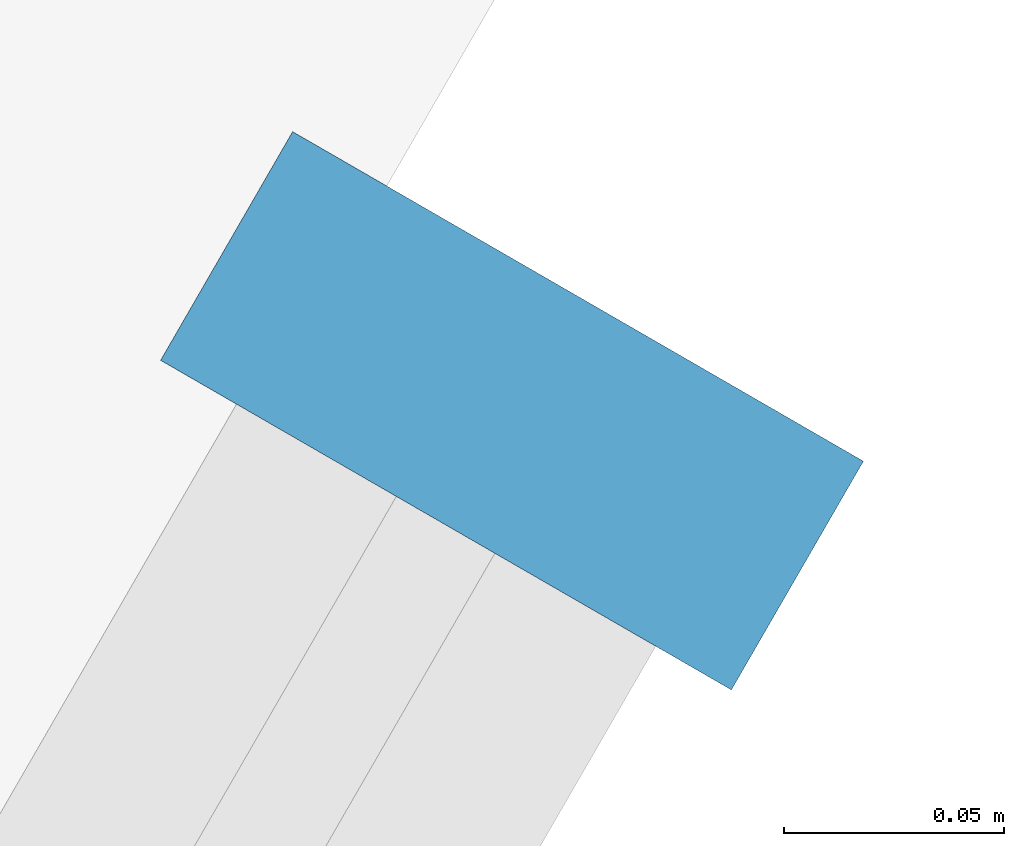
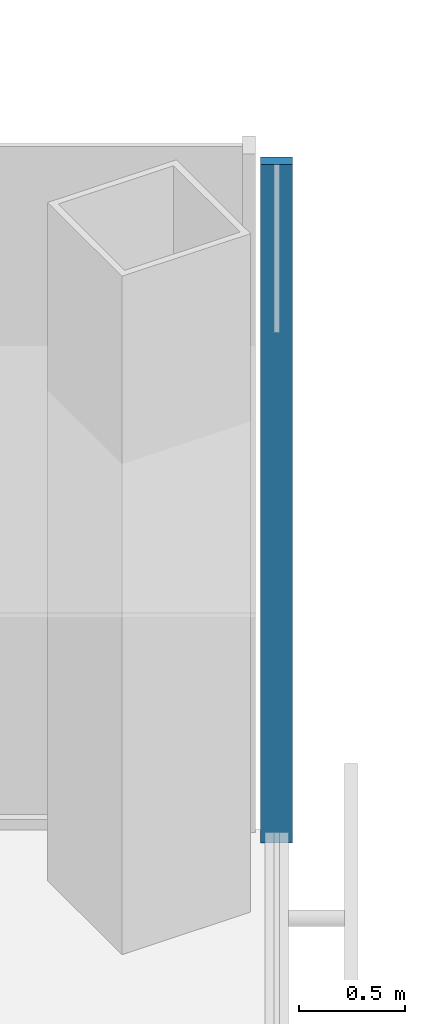
# One storey, part 9 of 19: 1 member, 1 element without a shape of its own.
"""IFC4 building model written with IfcOpenShell, lengths in metres."""

from ifc_helpers import new_model, si_unit, direction, frame, origin, origin_2d, place, context, subcontext, project, spatial, rectangle, extrude, material, material_profile, profile_set, type_object, element, aggregate, save


model = new_model("IFC4")

# Units and contexts
model_context = context("Model", 3, precision=1e-05, world=origin(), true_north=direction((0.0, 1.0)))
body_context = subcontext(model_context, "Body", "Model", "MODEL_VIEW")
ifc_project = project(units=[si_unit("LENGTHUNIT", "METRE"), si_unit("AREAUNIT", "SQUARE_METRE"), si_unit("VOLUMEUNIT", "CUBIC_METRE"), si_unit("PLANEANGLEUNIT", "RADIAN"), si_unit("MASSUNIT", "GRAM", prefix="KILO")], contexts=[model_context])

# Site, building, storey
site_placement = place(None, origin())
site = spatial("IfcSite", under=ifc_project, at=site_placement, CompositionType="ELEMENT")
building_placement = place(site_placement, origin())
building = spatial("IfcBuilding", under=site, at=building_placement, Name="Kasaneha Research Tower", CompositionType="ELEMENT")
storey_placement = place(building_placement, frame((0.0, 0.0, 164.300048828125)))
storey = spatial("IfcBuildingStorey", under=building, at=storey_placement, Name="L41", CompositionType="ELEMENT", Elevation=164.300048828125)

# Curtain wall, member
ifc_material_1 = material(Name="Glass and aluminium", Category="aluminium")
curtain_wall_type = type_object("IfcCurtainWallType", Name="Mid-rise office curtain wall", PredefinedType="USERDEFINED", material=ifc_material_1)
curtain_wall_placement = place(storey_placement, origin())
curtain_wall = element("IfcCurtainWall", 1, at=curtain_wall_placement, inside=storey, type_object=curtain_wall_type, Name="CW-O2 L41 run 04a", ObjectType="UNITISED CURTAIN WALL", PredefinedType="USERDEFINED")
ifc_material_2 = material(Name="Aluminium 6063-T6", Category="aluminium")
ifc_material_profile = material_profile(ifc_material_2, rectangle(XDim=0.06005859375, YDim=0.14990234375, at=origin_2d()), Name="CW-O2 mullion 60x150")
ifc_profile_set = profile_set([ifc_material_profile], Name="Aluminium 6063-T6")
member_type = type_object("IfcMemberType", Name="CW-O2 mullion", PredefinedType="MULLION", material=ifc_profile_set)
member_placement = place(storey_placement, frame((32.012939453125, -6.39306640625, 0.0), z_axis=(0.0, 0.0, 1.0), x_axis=(0.500000011442, 0.866025397178, 0.0)))
member = element("IfcMember", 2, at=member_placement, type_object=member_type, Name="CW-O2 mullion 4", PredefinedType="MULLION", context=body_context, shape_type="SweptSolid", body=[
    extrude(rectangle(XDim=0.06005859375, YDim=0.14990234375, at=origin_2d()), origin(), (0.0, 0.0, 1.0), 3.89990234375),
])
aggregate(curtain_wall, [member])

save(model, "model.ifc")
